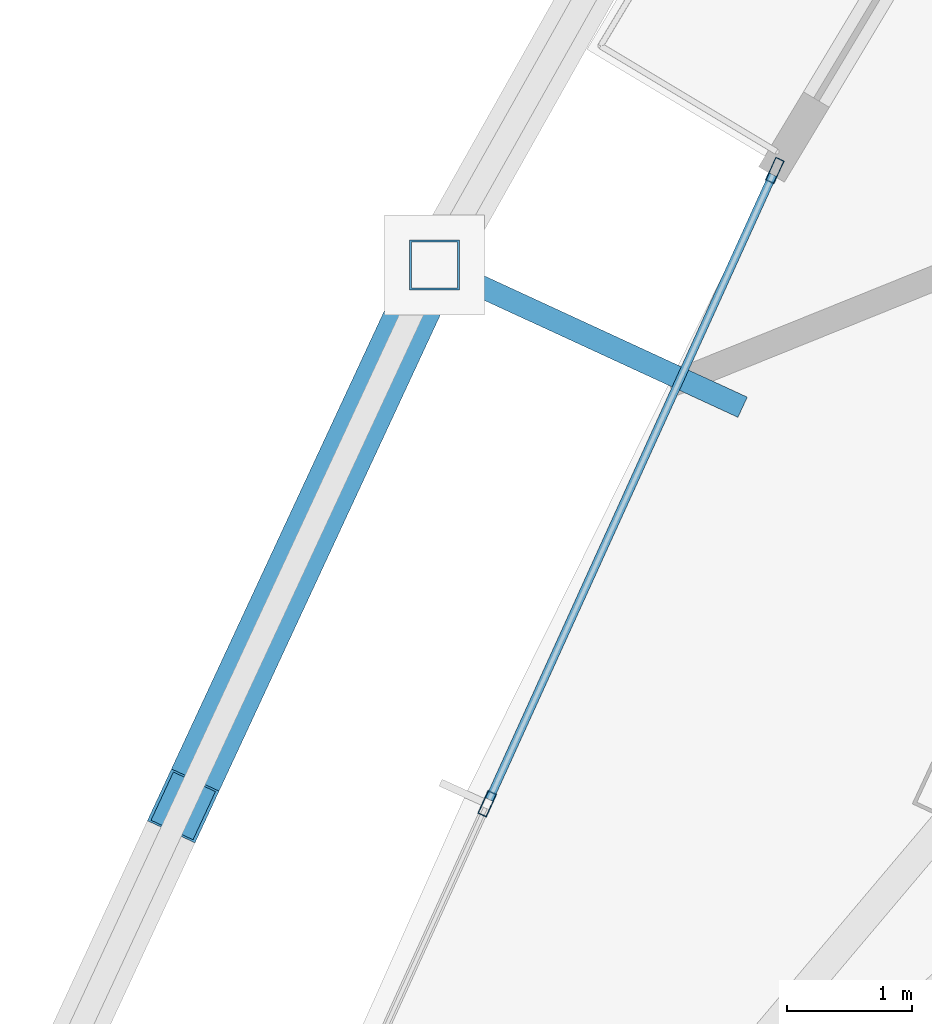
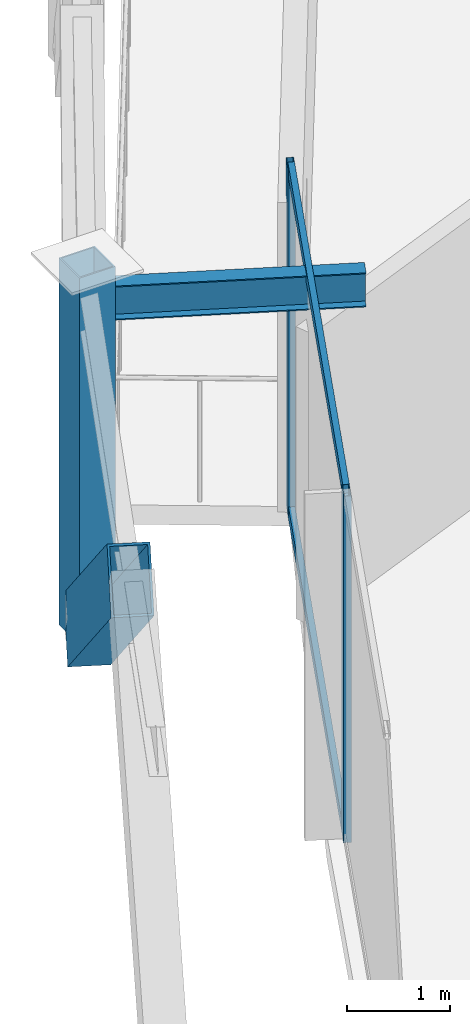
# One storey, part 10 of 28: 6 members, 1 beam, 1 element without a shape of its own.
"""IFC4 building model written with IfcOpenShell, lengths in metres."""

import ifcopenshell
import ifcopenshell.guid

model = None  # the IFC model being written
_history = None  # IfcOwnerHistory: only IFC2X3 demands one
_inside = {}  # id of a spatial element -> (the spatial element, [elements in it])
_under = {}  # id of a project, library or spatial element -> (it, [spatial elements below it])
_declared = {}  # id of a project -> (the project, [libraries it declares])
_typed = {}  # id of a type object -> (the type object, [elements of that type])
_made_of = {}  # id of a material, layer set ... -> (it, [elements and type objects made of it])


def new_model(schema):
    """Start an empty IFC model of exactly this schema.

    Asked for "IFC4X3", IfcOpenShell would pick the latest addendum, in which some entities
    have other attributes; the version numbers below select the first issue.
    IFC2X3 requires an IfcOwnerHistory on every rooted entity: one is made here for all.
    """
    global model, _history
    if schema == "IFC4X3":
        model = ifcopenshell.file(schema_version=(4, 3, 0, 0))
    else:
        model = ifcopenshell.file(schema=schema)
    _inside.clear()
    _under.clear()
    _declared.clear()
    _typed.clear()
    _made_of.clear()
    _history = None
    if model.schema == "IFC2X3":
        org = make("IfcOrganization", Name="unknown")
        user = make(
            "IfcPersonAndOrganization",
            ThePerson=make("IfcPerson", FamilyName="unknown"),
            TheOrganization=org,
        )
        app = make(
            "IfcApplication",
            ApplicationDeveloper=org,
            Version="unknown",
            ApplicationFullName="unknown",
            ApplicationIdentifier="unknown",
        )
        _history = make(
            "IfcOwnerHistory",
            OwningUser=user,
            OwningApplication=app,
            ChangeAction="ADDED",
            CreationDate=0,
        )
    return model


def make(cls, **values):
    """One entity of the class cls with the attributes given. An attribute that is None is left unset."""
    return model.create_entity(
        cls, **{name: value for name, value in values.items() if value is not None}
    )


def rooted(cls, **values):
    """An entity with a GlobalId (a new one), such as an element, a storey or a relation."""
    return make(cls, GlobalId=ifcopenshell.guid.new(), OwnerHistory=_history, **values)


def si_unit(unit_type, name, prefix=None):
    """IfcSIUnit, for example si_unit("LENGTHUNIT", "METRE", prefix="MILLI")."""
    return make("IfcSIUnit", UnitType=unit_type, Prefix=prefix, Name=name)


def assignment(units):
    """IfcUnitAssignment: the units of a project."""
    return None if units is None else make("IfcUnitAssignment", Units=units)


def point(xyz):
    """IfcCartesianPoint."""
    return None if xyz is None else make("IfcCartesianPoint", Coordinates=xyz)


def direction(xyz):
    """IfcDirection."""
    return None if xyz is None else make("IfcDirection", DirectionRatios=xyz)


def frame(location, z_axis=None, x_axis=None):
    """IfcAxis2Placement3D, a coordinate frame: its origin and axes. An axis left out is left unset."""
    return make(
        "IfcAxis2Placement3D",
        Location=point(location),
        Axis=direction(z_axis),
        RefDirection=direction(x_axis),
    )


def frame_2d(location, x_axis=None):
    """IfcAxis2Placement2D, a coordinate frame in the plane: its origin and x axis."""
    return make(
        "IfcAxis2Placement2D", Location=point(location), RefDirection=direction(x_axis)
    )


def origin():
    """The frame at (0, 0, 0) with its axes left unset."""
    return frame((0.0, 0.0, 0.0))


def origin_2d():
    """The frame at (0, 0) in the plane with its x axis left unset."""
    return frame_2d((0.0, 0.0))


def place(relative_to, where):
    """IfcLocalPlacement: puts the frame where relative to a parent placement (None: the world)."""
    return make(
        "IfcLocalPlacement", PlacementRelTo=relative_to, RelativePlacement=where
    )


def context(
    kind, dimensions, precision=None, world=None, true_north=None, identifier=None
):
    """IfcGeometricRepresentationContext, for example the 3D "Model" context."""
    return make(
        "IfcGeometricRepresentationContext",
        ContextIdentifier=identifier,
        ContextType=kind,
        CoordinateSpaceDimension=dimensions,
        Precision=precision,
        WorldCoordinateSystem=world,
        TrueNorth=true_north,
    )


def subcontext(parent, identifier, kind, view, scale=None):
    """IfcGeometricRepresentationSubContext, for example "Body" below "Model"."""
    return make(
        "IfcGeometricRepresentationSubContext",
        ContextIdentifier=identifier,
        ContextType=kind,
        ParentContext=parent,
        TargetScale=scale,
        TargetView=view,
    )


def project(units=None, contexts=None):
    """IfcProject with its units and contexts."""
    return rooted(
        "IfcProject",
        Name="project",
        RepresentationContexts=contexts,
        UnitsInContext=assignment(units),
    )


def spatial(cls, under=None, at=None, **own):
    """A site, building, storey or space (cls), placed at a placement, below another one or the project."""
    s = rooted(cls, ObjectPlacement=at, **own)
    if under is not None:
        _under.setdefault(under.id(), (under, []))[1].append(s)
    return s


def profile(cls, at=None, kind="AREA", **sizes):
    """A parametric profile (cls). Its sizes go by their IFC names, for example OverallWidth=200.0."""
    return make(cls, ProfileType=kind, Position=at, **sizes)


def hollow_rectangle(**sizes):
    """IfcRectangleHollowProfileDef."""
    return profile("IfcRectangleHollowProfileDef", **sizes)


def i_section(**sizes):
    """IfcIShapeProfileDef."""
    return profile("IfcIShapeProfileDef", **sizes)


def extrude(swept, where, along, depth):
    """IfcExtrudedAreaSolid: the profile swept, set in the frame where, extruded along a direction by depth."""
    return make(
        "IfcExtrudedAreaSolid",
        SweptArea=swept,
        Position=where,
        ExtrudedDirection=direction(along),
        Depth=depth,
    )


def shape(context_of_items, identifier, shape_type, items):
    """IfcShapeRepresentation: the items that make up one representation, for example the "Body"."""
    return make(
        "IfcShapeRepresentation",
        ContextOfItems=context_of_items,
        RepresentationIdentifier=identifier,
        RepresentationType=shape_type,
        Items=items,
    )


def material(Name=None, Category=None):
    """IfcMaterial."""
    return make("IfcMaterial", Name=Name, Category=Category)


def layer(
    of_material, thickness, ventilated=None, Name=None, Category=None, Priority=None
):
    """IfcMaterialLayer: one layer of a wall or slab, of a material (None: an air gap)."""
    return make(
        "IfcMaterialLayer",
        Material=of_material,
        LayerThickness=thickness,
        IsVentilated=ventilated,
        Name=Name,
        Category=Category,
        Priority=Priority,
    )


def layer_set(layers, Name=None):
    """IfcMaterialLayerSet."""
    return make("IfcMaterialLayerSet", MaterialLayers=layers, LayerSetName=Name)


def material_profile(
    of_material, cross_section, Name=None, Category=None, Priority=None
):
    """IfcMaterialProfile: a cross section and its material."""
    return make(
        "IfcMaterialProfile",
        Name=Name,
        Material=of_material,
        Profile=cross_section,
        Priority=Priority,
        Category=Category,
    )


def profile_set(profiles, Name=None, composite=None):
    """IfcMaterialProfileSet."""
    return make(
        "IfcMaterialProfileSet",
        Name=Name,
        MaterialProfiles=profiles,
        CompositeProfile=composite,
    )


def made_of(thing, what):
    """Note that an element or type object is made of a material, layer set ...; save() writes the relation."""
    if what is not None:
        _made_of.setdefault(what.id(), (what, []))[1].append(thing)
    return thing


def type_object(cls, material=None, **own):
    """A type object (cls), such as IfcWallType, which elements share."""
    return made_of(rooted(cls, **own), material)


def element(
    cls,
    number,
    at=None,
    inside=None,
    cuts=None,
    type_object=None,
    material=None,
    context=None,
    identifier="Body",
    shape_type=None,
    held_by="IfcProductDefinitionShape",
    body=None,
    shapes=None,
    **own,
):
    """One element of the class cls, such as IfcWall. Its Tag is "e" and its number.

    at: its placement. inside: the storey or other place that contains it. cuts: it is an
    opening in that element (IfcRelVoidsElement). A single representation is given by context,
    identifier, shape_type and body (its items); several are given by shapes. held_by: the class
    of the entity that holds the representations. save() writes the other relations.
    """
    e = rooted(cls, Tag="e%d" % number, ObjectPlacement=at, **own)
    if body is not None:
        shapes = [shape(context, identifier, shape_type, body)]
    if shapes is not None:
        e.Representation = make(held_by, Representations=shapes)
    if inside is not None:
        _inside.setdefault(inside.id(), (inside, []))[1].append(e)
    if cuts is not None:
        rooted(
            "IfcRelVoidsElement", RelatingBuildingElement=cuts, RelatedOpeningElement=e
        )
    if type_object is not None:
        _typed.setdefault(type_object.id(), (type_object, []))[1].append(e)
    return made_of(e, material)


def aggregate(whole, parts):
    """IfcRelAggregates: a whole, such as a stair, and the parts it consists of."""
    return rooted("IfcRelAggregates", RelatingObject=whole, RelatedObjects=parts)


def save(model, path):
    """Write the relations noted so far, then the file.

    IfcRelAggregates (storeys below a building ...), IfcRelContainedInSpatialStructure (elements
    in a storey), IfcRelDefinesByType, IfcRelAssociatesMaterial and IfcRelDeclares: one each for
    every whole, place, type object, material and project.
    """
    for whole, parts in _under.values():
        aggregate(whole, parts)
    for where, things in _inside.values():
        rooted(
            "IfcRelContainedInSpatialStructure",
            RelatedElements=things,
            RelatingStructure=where,
        )
    for kind, things in _typed.values():
        rooted("IfcRelDefinesByType", RelatedObjects=things, RelatingType=kind)
    for what, things in _made_of.values():
        rooted("IfcRelAssociatesMaterial", RelatedObjects=things, RelatingMaterial=what)
    for by, libraries in _declared.values():
        rooted("IfcRelDeclares", RelatingContext=by, RelatedDefinitions=libraries)
    model.write(path)


model = new_model("IFC4")

# Units and contexts
model_context = context("Model", 3, precision=1e-05, world=origin(), true_north=direction((0.0, 1.0)))
body_context = subcontext(model_context, "Body", "Model", "MODEL_VIEW")
ifc_project = project(units=[si_unit("LENGTHUNIT", "METRE"), si_unit("AREAUNIT", "SQUARE_METRE"), si_unit("VOLUMEUNIT", "CUBIC_METRE"), si_unit("PLANEANGLEUNIT", "RADIAN"), si_unit("MASSUNIT", "GRAM", prefix="KILO")], contexts=[model_context])

# Site, building, storey
site_placement = place(None, origin())
site = spatial("IfcSite", under=ifc_project, at=site_placement, CompositionType="ELEMENT")
building_placement = place(site_placement, origin())
building = spatial("IfcBuilding", under=site, at=building_placement, Name="Orvanel Arch Residences", CompositionType="ELEMENT")
storey_placement = place(building_placement, frame((0.0, 0.0, 146.300048828125)))
storey = spatial("IfcBuildingStorey", under=building, at=storey_placement, Name="L41", CompositionType="ELEMENT", Elevation=146.300048828125)

# Member
ifc_material_1 = material(Name="Structural steel AS/NZS 3678 Grade 350", Category="steel")
ifc_material_profile_1 = material_profile(ifc_material_1, hollow_rectangle(XDim=0.419921875, YDim=0.719970703125, WallThickness=0.02490234375, at=origin_2d()), Name="RHS720x420x25")
ifc_profile_set_1 = profile_set([ifc_material_profile_1], Name="Structural steel AS/NZS 3678 Grade 350")
member_type_1 = type_object("IfcMemberType", Name="BR-720RHS-EXT", PredefinedType="BRACE", material=ifc_profile_set_1)
member_1_placement = place(storey_placement, frame((11.98291015625, 23.742919921875, 0.0), z_axis=(-0.325919835985, -0.701393113247, 0.633895859902), x_axis=(0.906874084041, -0.421401703478, 0.0)))
element("IfcMember", 1, at=member_1_placement, inside=storey, type_object=member_type_1, Name="L41 Exterior Sky-Garden V-Frame Chevron F1B3.1", PredefinedType="BRACE", context=body_context, shape_type="SweptSolid", body=[
    extrude(hollow_rectangle(XDim=0.419921875, YDim=0.719970703125, WallThickness=0.02490234375, at=origin_2d()), origin(), (0.0, 0.0, 1.0), 6.163330078125),
])

# Curtain wall, members
ifc_material_2 = material(Name="Bronze-anodised aluminium AA6063-T6", Category="aluminium")
ifc_layer = layer(ifc_material_2, 0.195068359375)
ifc_layer_set = layer_set([ifc_layer], Name="Bronze-anodised aluminium AA6063-T6")
curtain_wall_type = type_object("IfcCurtainWallType", Name="CW6-COM-SYS", PredefinedType="NOTDEFINED", material=ifc_layer_set)
curtain_wall_placement = place(storey_placement, origin())
curtain_wall = element("IfcCurtainWall", 2, at=curtain_wall_placement, inside=storey, type_object=curtain_wall_type, Name="L41 CW6-COM-SYS Unitised Curtain Wall", PredefinedType="NOTDEFINED")
ifc_material_profile_2 = material_profile(ifc_material_2, hollow_rectangle(XDim=0.074951171875, YDim=0.199951171875, WallThickness=0.0048828125, at=origin_2d()), Name="ALU200x75x5")
ifc_profile_set_2 = profile_set([ifc_material_profile_2], Name="Bronze-anodised aluminium AA6063-T6")
member_type_2 = type_object("IfcMemberType", Name="MUL-200x75", PredefinedType="MULLION", material=ifc_profile_set_2)
member_2_placement = place(storey_placement, frame((14.70361328125, 24.499755859375, 0.0), z_axis=(0.0, 0.0, 1.0), x_axis=(0.91052138682, -0.413461974242, 0.0)))
member_2 = element("IfcMember", 3, at=member_2_placement, type_object=member_type_2, Name="CW-S6 mullion 1", PredefinedType="MULLION", context=body_context, shape_type="SweptSolid", body=[
    extrude(hollow_rectangle(XDim=0.074951171875, YDim=0.199951171875, WallThickness=0.0048828125, at=origin_2d()), origin(), (0.0, 0.0, 1.0), 4.10986328125),
])
member_3_placement = place(storey_placement, frame((12.404296875, 19.436767578125, 0.0), z_axis=(0.0, 0.0, 1.0), x_axis=(0.91052138682, -0.413461974242, 0.0)))
member_3 = element("IfcMember", 4, at=member_3_placement, type_object=member_type_2, Name="CW-S6 mullion 2", PredefinedType="MULLION", context=body_context, shape_type="SweptSolid", body=[
    extrude(hollow_rectangle(XDim=0.074951171875, YDim=0.199951171875, WallThickness=0.0048828125, at=origin_2d()), origin(), (0.0, 0.0, 1.0), 4.10986328125),
])

# Beam
ifc_material_3 = material(Name="Structural steel AS/NZS 3679.1 Grade 300 (300 MPa)", Category="steel")
ifc_material_profile_3 = material_profile(ifc_material_3, i_section(OverallWidth=0.177978515625, OverallDepth=0.406005859375, WebThickness=0.0078125, FlangeThickness=0.0126953125, at=origin_2d()), Name="410UB59.7")
ifc_profile_set_3 = profile_set([ifc_material_profile_3], Name="Structural steel AS/NZS 3679.1 Grade 300 (300 MPa)")
beam_type = type_object("IfcBeamType", Name="OB-410UB-EXT", PredefinedType="SPANDREL", material=ifc_profile_set_3)
beam_placement = place(storey_placement, frame((14.446044921875, 22.60693359375, 3.906982421875), z_axis=(-0.90807789362, 0.418801312222, 0.0), x_axis=(-0.418801312222, -0.90807789362, 0.0)))
element("IfcBeam", 5, at=beam_placement, inside=storey, type_object=beam_type, Name="L41 Outer Frame Radial Tie Beam 03", PredefinedType="SPANDREL", context=body_context, shape_type="SweptSolid", body=[
    extrude(i_section(OverallWidth=0.177978515625, OverallDepth=0.406005859375, WebThickness=0.0078125, FlangeThickness=0.0126953125, at=origin_2d()), origin(), (0.0, 0.0, 1.0), 2.71240234375),
])

# Member
ifc_material_4 = material(Name="Structural steel AS/NZS 1163 C450L0 (Grade 450)", Category="steel")
ifc_material_profile_4 = material_profile(ifc_material_4, hollow_rectangle(XDim=0.39990234375, YDim=0.39990234375, WallThickness=0.01611328125, at=origin_2d()), Name="SHS400x400x16")
ifc_profile_set_4 = profile_set([ifc_material_profile_4], Name="Structural steel AS/NZS 1163 C450L0 (Grade 450)")
member_type_3 = type_object("IfcMemberType", Name="ST-400SHS-EXT", PredefinedType="STRUT", material=ifc_profile_set_4)
member_4_placement = place(storey_placement, frame((11.98291015625, 23.742919921875, 0.0), z_axis=(0.0, 0.0, 1.0), x_axis=(1.0, 0.0, 0.0)))
element("IfcMember", 6, at=member_4_placement, inside=storey, type_object=member_type_3, Name="L41 Outer Perimeter Frame Post 03", PredefinedType="STRUT", context=body_context, shape_type="SweptSolid", body=[
    extrude(hollow_rectangle(XDim=0.39990234375, YDim=0.39990234375, WallThickness=0.01611328125, at=origin_2d()), origin(), (0.0, 0.0, 1.0), 4.349853515625),
])

ifc_material_profile_5 = material_profile(ifc_material_2, hollow_rectangle(XDim=0.06494140625, YDim=0.14990234375, WallThickness=0.00390625, at=origin_2d()), Name="ALU150x65x4")
ifc_profile_set_5 = profile_set([ifc_material_profile_5], Name="Bronze-anodised aluminium AA6063-T6")
member_type_4 = type_object("IfcMemberType", Name="TRN-150x65", PredefinedType="USERDEFINED", material=ifc_profile_set_5)
member_5_placement = place(storey_placement, frame((14.68798828125, 24.4658203125, 0.032470703125), z_axis=(-0.413434083025, -0.910534051529, 0.0), x_axis=(0.910534051529, -0.413434083025, 0.0)))
member_5 = element("IfcMember", 7, at=member_5_placement, type_object=member_type_4, Name="CW-S6 transom 1.1", ObjectType="TRANSOM", PredefinedType="USERDEFINED", context=body_context, shape_type="SweptSolid", body=[
    extrude(hollow_rectangle(XDim=0.06494140625, YDim=0.14990234375, WallThickness=0.00390625, at=origin_2d()), origin(), (0.0, 0.0, 1.0), 5.48583984375),
])

member_6_placement = place(storey_placement, frame((14.68798828125, 24.4658203125, 4.077392578125), z_axis=(-0.413434083025, -0.910534051529, 0.0), x_axis=(0.910534051529, -0.413434083025, 0.0)))
member_6 = element("IfcMember", 8, at=member_6_placement, type_object=member_type_4, Name="CW-S6 transom 1.2", ObjectType="TRANSOM", PredefinedType="USERDEFINED", context=body_context, shape_type="SweptSolid", body=[
    extrude(hollow_rectangle(XDim=0.06494140625, YDim=0.14990234375, WallThickness=0.00390625, at=origin_2d()), origin(), (0.0, 0.0, 1.0), 5.48583984375),
])

aggregate(curtain_wall, [member_2, member_3, member_5, member_6])

save(model, "model.ifc")
